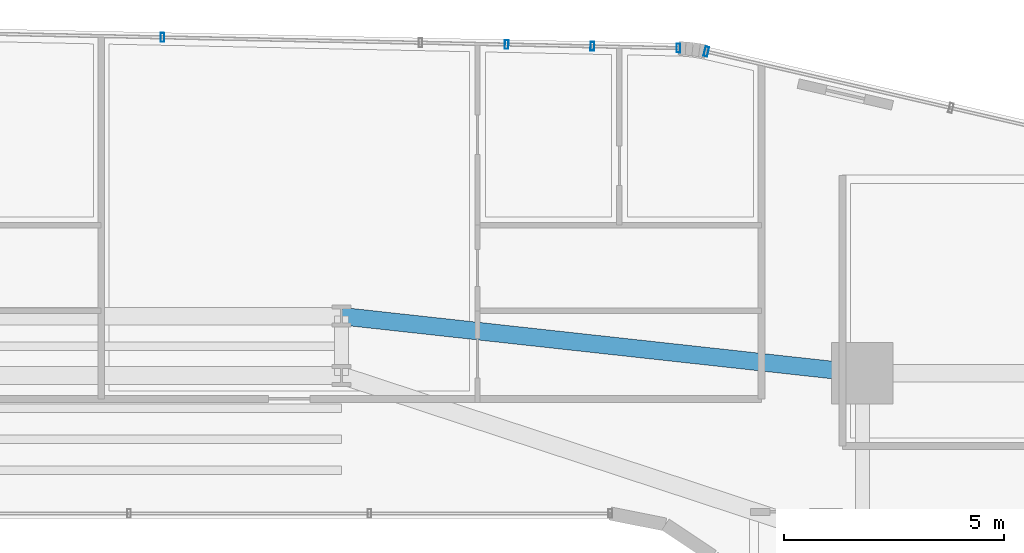
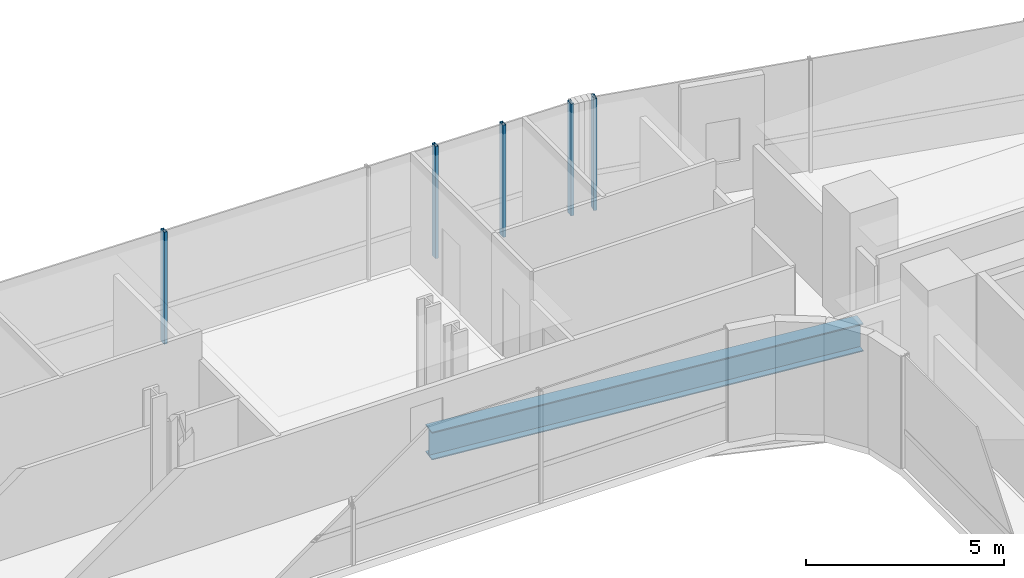
# One storey, part 21 of 40: 5 members, 1 beam, 2 elements without a shape of their own.
"""IFC4 building model written with IfcOpenShell, lengths in metres."""

from ifc_helpers import new_model, si_unit, direction, frame, origin, origin_2d, place, context, subcontext, project, spatial, hollow_rectangle, i_section, extrude, source, transform, mapped, material, material_profile, profile_set, type_object, element, aggregate, save


model = new_model("IFC4")

# Units and contexts
model_context = context("Model", 3, precision=1e-05, world=origin(), true_north=direction((0.0, 1.0)))
body_context = subcontext(model_context, "Body", "Model", "MODEL_VIEW")
ifc_project = project(units=[si_unit("LENGTHUNIT", "METRE"), si_unit("AREAUNIT", "SQUARE_METRE"), si_unit("VOLUMEUNIT", "CUBIC_METRE"), si_unit("PLANEANGLEUNIT", "RADIAN"), si_unit("MASSUNIT", "GRAM", prefix="KILO")], contexts=[model_context])

# Site, building, storey
site_placement = place(None, origin())
site = spatial("IfcSite", under=ifc_project, at=site_placement, CompositionType="ELEMENT")
building_placement = place(site_placement, origin())
building = spatial("IfcBuilding", under=site, at=building_placement, Name="Valdorenza Pilgrim Sanctuary Tower", CompositionType="ELEMENT")
storey_placement = place(building_placement, frame((0.0, 0.0, 44.5)))
storey = spatial("IfcBuildingStorey", under=building, at=storey_placement, Name="L10", CompositionType="ELEMENT", Elevation=44.5)

# Beam
ifc_material_1 = material(Name="Steel ASTM A992 Grade 50", Category="steel")
ifc_material_profile_1 = material_profile(ifc_material_1, i_section(OverallWidth=0.39990234375, OverallDepth=0.862060546875, WebThickness=0.019775390625, FlangeThickness=0.032470703125, at=origin_2d()), Name="W33X221")
ifc_profile_set_1 = profile_set([ifc_material_profile_1], Name="Steel ASTM A992 Grade 50")
beam_type = type_object("IfcBeamType", Name="STR-BM-GRD-W33", PredefinedType="BEAM", material=ifc_profile_set_1)
shared_shape_1 = source(origin(), body_context, "Body", "SweptSolid", [
    extrude(i_section(OverallWidth=0.39990234375, OverallDepth=0.862060546875, WebThickness=0.019775390625, FlangeThickness=0.032470703125, at=origin_2d()), origin(), (0.0, 0.0, 1.0), 11.921142578125),
])
beam_placement = place(storey_placement, frame((4.0, 14.800048828125, -0.6708984375), z_axis=(0.994035876607, -0.10905354656, 0.0), x_axis=(0.10905354656, 0.994035876607, 0.0)))
element("IfcBeam", 1, at=beam_placement, inside=storey, type_object=beam_type, Name="L10 Floor Girder KNK-G6", PredefinedType="BEAM", context=body_context, shape_type="MappedRepresentation", body=[
    mapped(shared_shape_1, transform((0.0, 0.0, 0.0), x_axis=(1.0, 0.0, 0.0), y_axis=(0.0, 1.0, 0.0), z_axis=(0.0, 0.0, 1.0), scale=1.0)),
])

# Curtain wall, members
ifc_material_2 = material(Name="Curtain-wall IGU glazing", Category="glass")
curtain_wall_type_1 = type_object("IfcCurtainWallType", Name="CW-SYS-02", PredefinedType="NOTDEFINED", material=ifc_material_2)
curtain_wall_1_placement = place(storey_placement, origin())
curtain_wall_1 = element("IfcCurtainWall", 2, at=curtain_wall_1_placement, inside=storey, type_object=curtain_wall_type_1, Name="L10 Curtain Wall CW-L10-1-11", PredefinedType="NOTDEFINED")
ifc_material_3 = material(Name="Anodised aluminium AW-6060", Category="aluminium")
ifc_material_profile_2 = material_profile(ifc_material_3, hollow_rectangle(XDim=0.0849609375, YDim=0.199951171875, WallThickness=0.0048828125, at=origin_2d()), Name="ALU-M 200x85x5")
ifc_profile_set_2 = profile_set([ifc_material_profile_2], Name="Anodised aluminium AW-6060")
member_type_1 = type_object("IfcMemberType", Name="CW-MUL-02", PredefinedType="MULLION", material=ifc_profile_set_2)
shared_shape_2 = source(origin(), body_context, "Body", "SweptSolid", [
    extrude(hollow_rectangle(XDim=0.0849609375, YDim=0.199951171875, WallThickness=0.0048828125, at=origin_2d()), origin(), (0.0, 0.0, 1.0), 3.4599609375),
])
member_1_placement = place(storey_placement, frame((-0.0712890625, 21.1416015625, 0.0), z_axis=(0.0, 0.0, 1.0), x_axis=(0.999783234613, -0.020820273474, 0.0)))
member_1 = element("IfcMember", 3, at=member_1_placement, type_object=member_type_1, Name="CW-L10-1-11 Mullion 3", PredefinedType="MULLION", context=body_context, shape_type="MappedRepresentation", body=[
    mapped(shared_shape_2, transform((0.0, 0.0, 0.0), x_axis=(1.0, 0.0, 0.0), y_axis=(0.0, 1.0, 0.0), z_axis=(0.0, 0.0, 1.0), scale=1.0)),
])
member_2_placement = place(storey_placement, frame((11.665771484375, 20.89697265625, 0.0), z_axis=(0.0, 0.0, 1.0), x_axis=(0.999783234613, -0.020820273474, 0.0)))
member_2 = element("IfcMember", 4, at=member_2_placement, type_object=member_type_1, Name="CW-L10-1-11 Mullion 5", PredefinedType="MULLION", context=body_context, shape_type="MappedRepresentation", body=[
    mapped(shared_shape_2, transform((0.0, 0.0, 0.0), x_axis=(1.0, 0.0, 0.0), y_axis=(0.0, 1.0, 0.0), z_axis=(0.0, 0.0, 1.0), scale=1.0)),
])
member_3_placement = place(storey_placement, frame((7.756591796875, 20.978515625, 0.0), z_axis=(0.0, 0.0, 1.0), x_axis=(0.999783234613, -0.020820273474, 0.0)))
member_3 = element("IfcMember", 5, at=member_3_placement, type_object=member_type_1, Name="CW-L10-1-11 Sub-Mullion 12-1", PredefinedType="MULLION", context=body_context, shape_type="MappedRepresentation", body=[
    mapped(shared_shape_2, transform((0.0, 0.0, 0.0), x_axis=(1.0, 0.0, 0.0), y_axis=(0.0, 1.0, 0.0), z_axis=(0.0, 0.0, 1.0), scale=1.0)),
])
member_4_placement = place(storey_placement, frame((9.706298828125, 20.937744140625, 0.0), z_axis=(0.0, 0.0, 1.0), x_axis=(0.999783234613, -0.020820273474, 0.0)))
member_4 = element("IfcMember", 6, at=member_4_placement, type_object=member_type_1, Name="CW-L10-1-11 Sub-Mullion 12-2", PredefinedType="MULLION", context=body_context, shape_type="MappedRepresentation", body=[
    mapped(shared_shape_2, transform((0.0, 0.0, 0.0), x_axis=(1.0, 0.0, 0.0), y_axis=(0.0, 1.0, 0.0), z_axis=(0.0, 0.0, 1.0), scale=1.0)),
])
aggregate(curtain_wall_1, [member_1, member_2, member_3, member_4])

# Curtain wall, member
curtain_wall_type_2 = type_object("IfcCurtainWallType", Name="CW-SYS-03", PredefinedType="NOTDEFINED", material=ifc_material_2)
curtain_wall_2_placement = place(storey_placement, origin())
curtain_wall_2 = element("IfcCurtainWall", 7, at=curtain_wall_2_placement, inside=storey, type_object=curtain_wall_type_2, Name="L10 Curtain Wall CW-L10-1-16", PredefinedType="NOTDEFINED")
ifc_material_profile_3 = material_profile(ifc_material_3, hollow_rectangle(XDim=0.0849609375, YDim=0.219970703125, WallThickness=0.0048828125, at=origin_2d()), Name="ALU-M 220x85x5")
ifc_profile_set_3 = profile_set([ifc_material_profile_3], Name="Anodised aluminium AW-6060")
member_type_2 = type_object("IfcMemberType", Name="CW-MUL-03", PredefinedType="MULLION", material=ifc_profile_set_3)
shared_shape_3 = source(origin(), body_context, "Body", "SweptSolid", [
    extrude(hollow_rectangle(XDim=0.0849609375, YDim=0.219970703125, WallThickness=0.0048828125, at=origin_2d()), origin(), (0.0, 0.0, 1.0), 3.4599609375),
])
member_5_placement = place(storey_placement, frame((12.299072265625, 20.818115234375, 0.0), z_axis=(0.0, 0.0, 1.0), x_axis=(0.974389691758, -0.224866023659, 0.0)))
member_5 = element("IfcMember", 8, at=member_5_placement, type_object=member_type_2, Name="CW-L10-1-16 Mullion 1", PredefinedType="MULLION", context=body_context, shape_type="MappedRepresentation", body=[
    mapped(shared_shape_3, transform((0.0, 0.0, 0.0), x_axis=(1.0, 0.0, 0.0), y_axis=(0.0, 1.0, 0.0), z_axis=(0.0, 0.0, 1.0), scale=1.0)),
])
aggregate(curtain_wall_2, [member_5])

save(model, "model.ifc")
